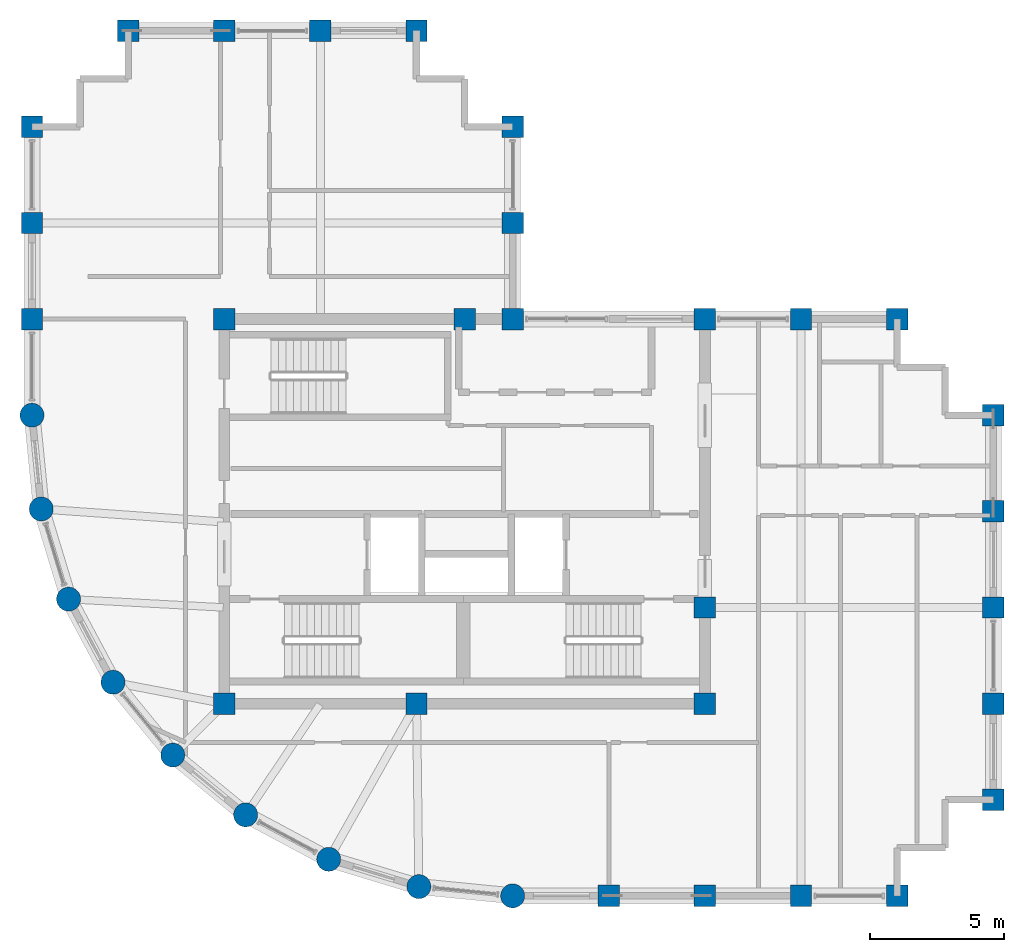
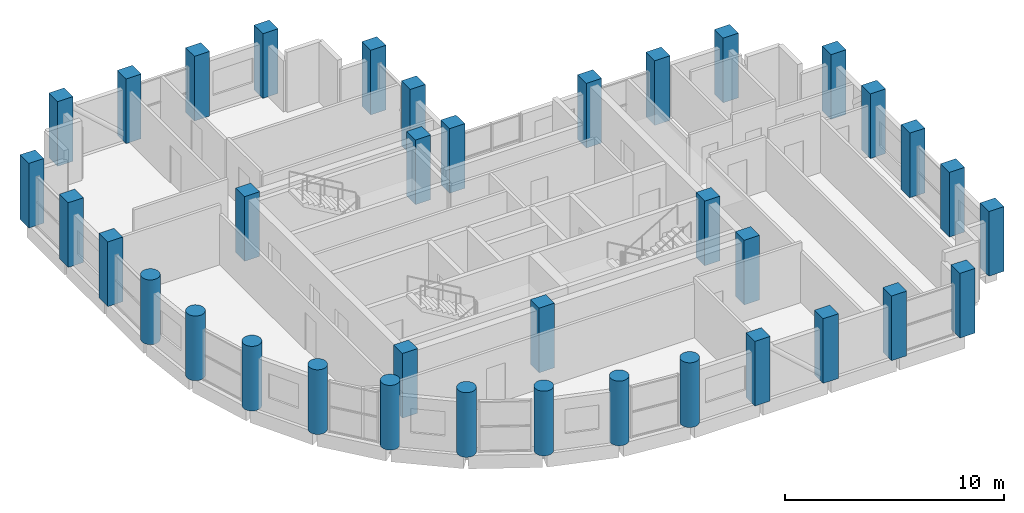
# One storey, part 1 of 17: 37 columns.
"""IFC4 building model written with IfcOpenShell, lengths in metres."""

from ifc_helpers import new_model, si_unit, direction, frame, origin, origin_2d, place, context, subcontext, project, spatial, rectangle, circle, extrude, material, material_profile, profile_set, type_object, element, save


model = new_model("IFC4")

# Units and contexts
model_context = context("Model", 3, precision=1e-05, world=origin(), true_north=direction((0.0, 1.0)))
body_context = subcontext(model_context, "Body", "Model", "MODEL_VIEW")
ifc_project = project(units=[si_unit("LENGTHUNIT", "METRE"), si_unit("AREAUNIT", "SQUARE_METRE"), si_unit("VOLUMEUNIT", "CUBIC_METRE"), si_unit("PLANEANGLEUNIT", "RADIAN"), si_unit("MASSUNIT", "GRAM", prefix="KILO")], contexts=[model_context])

# Site, building, storey
site_placement = place(None, origin())
site = spatial("IfcSite", under=ifc_project, at=site_placement, CompositionType="ELEMENT")
building_placement = place(site_placement, origin())
building = spatial("IfcBuilding", under=site, at=building_placement, Name="Solnavia Interchange Tower", CompositionType="ELEMENT")
storey_placement = place(building_placement, frame((0.0, 0.0, 291.800048828125)))
storey = spatial("IfcBuildingStorey", under=building, at=storey_placement, Name="L74", CompositionType="ELEMENT", Elevation=291.800048828125)

# Columns
ifc_material = material(Name="Concrete C50/60", Category="concrete")
ifc_material_profile_1 = material_profile(ifc_material, rectangle(XDim=0.800048828125, YDim=0.800048828125, at=origin_2d()), Name="RC 800x800")
ifc_profile_set_1 = profile_set([ifc_material_profile_1], Name="Concrete C50/60")
column_type_1 = type_object("IfcColumnType", Name="Col-RC-800x800", PredefinedType="COLUMN", material=ifc_profile_set_1)
for number, where, z_axis, x_axis, name in (
    (1, (7.199951171875, 25.199951171875, 0.0), (0.0, 0.0, 1.0), (0.0, 1.0, 0.0), "COL-L74-02 Tower perim y column"),
    (2, (7.199951171875, 28.800048828125, 0.0), (0.0, 0.0, 1.0), (0.0, 1.0, 0.0), "COL-L74-03 Tower perim y column"),
    (3, (7.199951171875, 32.39990234375, 0.0), (0.0, 0.0, 1.0), (0.0, 1.0, 0.0), "COL-L74-04 Tower corner column"),
    (4, (10.800048828125, 36.0, 0.0), (0.0, 0.0, 1.0), (1.0, 0.0, 0.0), "COL-L74-08 Tower corner column"),
    (5, (14.39990234375, 10.800048828125, 0.0), (0.0, 0.0, 1.0), (1.0, 0.0, 0.0), "COL-L74-10 Tower interior column"),
    (6, (14.39990234375, 25.199951171875, 0.0), (0.0, 0.0, 1.0), (1.0, 0.0, 0.0), "COL-L74-11 Tower interior column"),
    (7, (14.39990234375, 36.0, 0.0), (0.0, 0.0, 1.0), (1.0, 0.0, 0.0), "COL-L74-12 Tower perim x column"),
    (8, (18.0, 36.0, 0.0), (0.0, 0.0, 1.0), (1.0, 0.0, 0.0), "COL-L74-14 Tower perim x column"),
    (9, (21.60009765625, 10.800048828125, 0.0), (0.0, 0.0, 1.0), (1.0, 0.0, 0.0), "COL-L74-16 Tower interior column"),
    (10, (21.60009765625, 36.0, 0.0), (0.0, 0.0, 1.0), (1.0, 0.0, 0.0), "COL-L74-17 Tower corner column"),
    (11, (23.39990234375, 25.199951171875, 0.0), (0.0, 0.0, 1.0), (1.0, 0.0, 0.0), "COL-L74-19 Tower interior column"),
    (12, (25.199951171875, 25.199951171875, 0.0), (0.0, 0.0, 1.0), (1.0, 0.0, 0.0), "COL-L74-21 Tower interior column"),
    (13, (25.199951171875, 28.800048828125, 0.0), (0.0, 0.0, 1.0), (0.0, 1.0, 0.0), "COL-L74-22 Tower perim y column"),
    (14, (25.199951171875, 32.39990234375, 0.0), (0.0, 0.0, 1.0), (0.0, 1.0, 0.0), "COL-L74-23 Tower corner column"),
    (15, (28.800048828125, 3.60009765625, 0.0), (0.0, 0.0, 1.0), (1.0, 0.0, 0.0), "COL-L74-24 Tower perim x column"),
    (16, (32.39990234375, 3.60009765625, 0.0), (0.0, 0.0, 1.0), (1.0, 0.0, 0.0), "COL-L74-25 Tower perim x column"),
    (17, (32.39990234375, 10.800048828125, 0.0), (0.0, 0.0, 1.0), (1.0, 0.0, 0.0), "COL-L74-26 Tower interior column"),
    (18, (32.39990234375, 14.39990234375, 0.0), (0.0, 0.0, 1.0), (1.0, 0.0, 0.0), "COL-L74-27 Tower interior column"),
    (19, (32.39990234375, 25.199951171875, 0.0), (0.0, 0.0, 1.0), (1.0, 0.0, 0.0), "COL-L74-28 Tower interior column"),
    (20, (36.0, 3.60009765625, 0.0), (0.0, 0.0, 1.0), (1.0, 0.0, 0.0), "COL-L74-29 Tower perim x column"),
    (21, (36.0, 25.199951171875, 0.0), (0.0, 0.0, 1.0), (1.0, 0.0, 0.0), "COL-L74-30 Tower perim x column"),
    (22, (39.60009765625, 3.60009765625, 0.0), (0.0, 0.0, 1.0), (1.0, 0.0, 0.0), "COL-L74-31 Tower corner column"),
    (23, (39.60009765625, 25.199951171875, 0.0), (0.0, 0.0, 1.0), (1.0, 0.0, 0.0), "COL-L74-32 Tower corner column"),
    (24, (43.199951171875, 7.199951171875, 0.0), (0.0, 0.0, 1.0), (1.0, 0.0, 0.0), "COL-L74-33 Tower corner column"),
    (25, (43.199951171875, 10.800048828125, 0.0), (0.0, 0.0, 1.0), (0.0, 1.0, 0.0), "COL-L74-34 Tower perim y column"),
    (26, (43.199951171875, 14.39990234375, 0.0), (0.0, 0.0, 1.0), (0.0, 1.0, 0.0), "COL-L74-35 Tower perim y column"),
    (27, (43.199951171875, 18.0, 0.0), (0.0, 0.0, 1.0), (0.0, 1.0, 0.0), "COL-L74-36 Tower perim y column"),
    (28, (43.199951171875, 21.60009765625, 0.0), (0.0, 0.0, 1.0), (0.0, 1.0, 0.0), "COL-L74-37 Tower corner column"),
):
    element("IfcColumn", number, at=place(storey_placement, frame(where, z_axis=z_axis, x_axis=x_axis)), inside=storey, type_object=column_type_1, Name=name, PredefinedType="COLUMN", context=body_context, shape_type="SweptSolid", body=[
        extrude(rectangle(XDim=0.800048828125, YDim=0.800048828125, at=origin_2d()), origin(), (0.0, 0.0, 1.0), 3.599853515625),
    ])
ifc_material_profile_2 = material_profile(ifc_material, circle(Radius=0.449951171875, at=origin_2d()), Name="RC D900")
ifc_profile_set_2 = profile_set([ifc_material_profile_2], Name="Concrete C50/60")
column_type_2 = type_object("IfcColumnType", Name="Col-RC-D900", PredefinedType="COLUMN", material=ifc_profile_set_2)
for number, where, z_axis, x_axis, name in (
    (29, (7.199951171875, 21.60009765625, 0.0), (0.0, 0.0, 1.0), (1.0, 0.0, 0.0), "COL-L74-01 Tower drum column"),
    (30, (7.5458984375, 18.087890625, 0.0), (0.0, 0.0, 1.0), (1.0, 0.0, 0.0), "COL-L74-05 Tower drum column"),
    (31, (8.570068359375, 14.7119140625, 0.0), (0.0, 0.0, 1.0), (1.0, 0.0, 0.0), "COL-L74-06 Tower drum column"),
    (32, (10.23388671875, 11.60009765625, 0.0), (0.0, 0.0, 1.0), (1.0, 0.0, 0.0), "COL-L74-07 Tower drum column"),
    (33, (12.471923828125, 8.8720703125, 0.0), (0.0, 0.0, 1.0), (1.0, 0.0, 0.0), "COL-L74-09 Tower drum column"),
    (34, (15.199951171875, 6.634033203125, 0.0), (0.0, 0.0, 1.0), (1.0, 0.0, 0.0), "COL-L74-13 Tower drum column"),
    (35, (18.31201171875, 4.969970703125, 0.0), (0.0, 0.0, 1.0), (1.0, 0.0, 0.0), "COL-L74-15 Tower drum column"),
    (36, (21.68798828125, 3.946044921875, 0.0), (0.0, 0.0, 1.0), (1.0, 0.0, 0.0), "COL-L74-18 Tower drum column"),
    (37, (25.199951171875, 3.60009765625, 0.0), (0.0, 0.0, 1.0), (1.0, 0.0, 0.0), "COL-L74-20 Tower drum column"),
):
    element("IfcColumn", number, at=place(storey_placement, frame(where, z_axis=z_axis, x_axis=x_axis)), inside=storey, type_object=column_type_2, Name=name, PredefinedType="COLUMN", context=body_context, shape_type="SweptSolid", body=[
        extrude(circle(Radius=0.449951171875, at=origin_2d()), origin(), (0.0, 0.0, 1.0), 3.599853515625),
    ])

save(model, "model.ifc")
